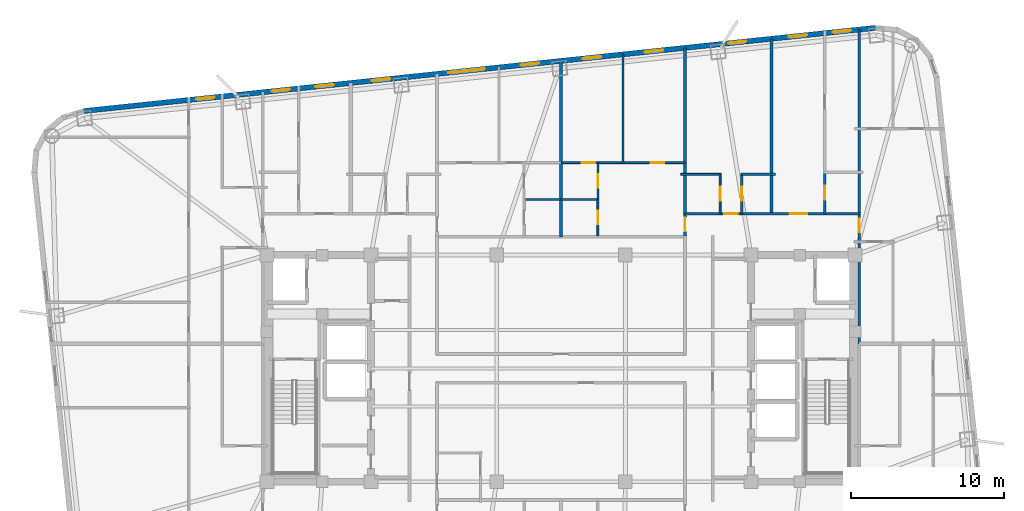
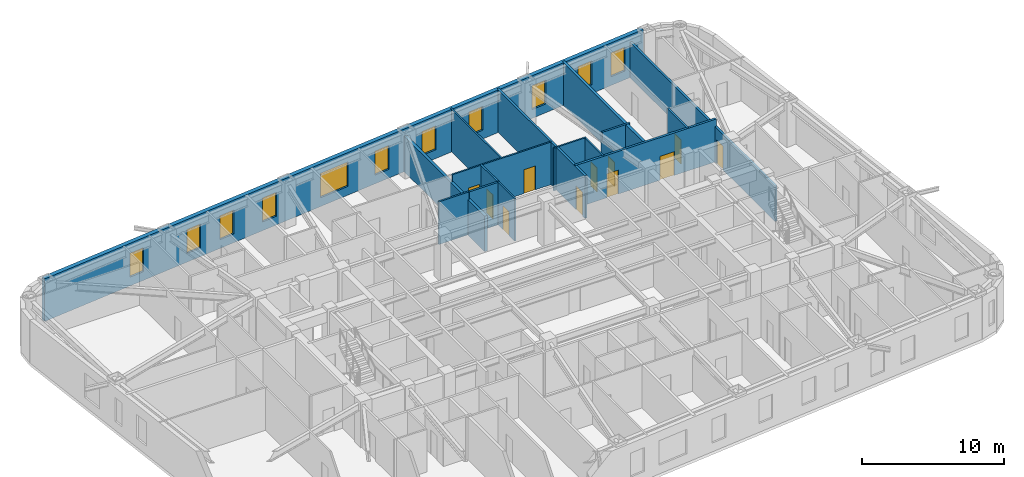
# One storey, part 9 of 12: 17 walls, 11 doors, 11 windows, 22 openings.
"""IFC4 building model written with IfcOpenShell, lengths in metres."""

import ifcopenshell
import ifcopenshell.guid

model = None  # the IFC model being written
_history = None  # IfcOwnerHistory: only IFC2X3 demands one
_inside = {}  # id of a spatial element -> (the spatial element, [elements in it])
_under = {}  # id of a project, library or spatial element -> (it, [spatial elements below it])
_declared = {}  # id of a project -> (the project, [libraries it declares])
_typed = {}  # id of a type object -> (the type object, [elements of that type])
_made_of = {}  # id of a material, layer set ... -> (it, [elements and type objects made of it])


def new_model(schema):
    """Start an empty IFC model of exactly this schema.

    Asked for "IFC4X3", IfcOpenShell would pick the latest addendum, in which some entities
    have other attributes; the version numbers below select the first issue.
    IFC2X3 requires an IfcOwnerHistory on every rooted entity: one is made here for all.
    """
    global model, _history
    if schema == "IFC4X3":
        model = ifcopenshell.file(schema_version=(4, 3, 0, 0))
    else:
        model = ifcopenshell.file(schema=schema)
    _inside.clear()
    _under.clear()
    _declared.clear()
    _typed.clear()
    _made_of.clear()
    _history = None
    if model.schema == "IFC2X3":
        org = make("IfcOrganization", Name="unknown")
        user = make(
            "IfcPersonAndOrganization",
            ThePerson=make("IfcPerson", FamilyName="unknown"),
            TheOrganization=org,
        )
        app = make(
            "IfcApplication",
            ApplicationDeveloper=org,
            Version="unknown",
            ApplicationFullName="unknown",
            ApplicationIdentifier="unknown",
        )
        _history = make(
            "IfcOwnerHistory",
            OwningUser=user,
            OwningApplication=app,
            ChangeAction="ADDED",
            CreationDate=0,
        )
    return model


def make(cls, **values):
    """One entity of the class cls with the attributes given. An attribute that is None is left unset."""
    return model.create_entity(
        cls, **{name: value for name, value in values.items() if value is not None}
    )


def rooted(cls, **values):
    """An entity with a GlobalId (a new one), such as an element, a storey or a relation."""
    return make(cls, GlobalId=ifcopenshell.guid.new(), OwnerHistory=_history, **values)


def si_unit(unit_type, name, prefix=None):
    """IfcSIUnit, for example si_unit("LENGTHUNIT", "METRE", prefix="MILLI")."""
    return make("IfcSIUnit", UnitType=unit_type, Prefix=prefix, Name=name)


def assignment(units):
    """IfcUnitAssignment: the units of a project."""
    return None if units is None else make("IfcUnitAssignment", Units=units)


def point(xyz):
    """IfcCartesianPoint."""
    return None if xyz is None else make("IfcCartesianPoint", Coordinates=xyz)


def direction(xyz):
    """IfcDirection."""
    return None if xyz is None else make("IfcDirection", DirectionRatios=xyz)


def frame(location, z_axis=None, x_axis=None):
    """IfcAxis2Placement3D, a coordinate frame: its origin and axes. An axis left out is left unset."""
    return make(
        "IfcAxis2Placement3D",
        Location=point(location),
        Axis=direction(z_axis),
        RefDirection=direction(x_axis),
    )


def frame_2d(location, x_axis=None):
    """IfcAxis2Placement2D, a coordinate frame in the plane: its origin and x axis."""
    return make(
        "IfcAxis2Placement2D", Location=point(location), RefDirection=direction(x_axis)
    )


def origin():
    """The frame at (0, 0, 0) with its axes left unset."""
    return frame((0.0, 0.0, 0.0))


def place(relative_to, where):
    """IfcLocalPlacement: puts the frame where relative to a parent placement (None: the world)."""
    return make(
        "IfcLocalPlacement", PlacementRelTo=relative_to, RelativePlacement=where
    )


def context(
    kind, dimensions, precision=None, world=None, true_north=None, identifier=None
):
    """IfcGeometricRepresentationContext, for example the 3D "Model" context."""
    return make(
        "IfcGeometricRepresentationContext",
        ContextIdentifier=identifier,
        ContextType=kind,
        CoordinateSpaceDimension=dimensions,
        Precision=precision,
        WorldCoordinateSystem=world,
        TrueNorth=true_north,
    )


def subcontext(parent, identifier, kind, view, scale=None):
    """IfcGeometricRepresentationSubContext, for example "Body" below "Model"."""
    return make(
        "IfcGeometricRepresentationSubContext",
        ContextIdentifier=identifier,
        ContextType=kind,
        ParentContext=parent,
        TargetScale=scale,
        TargetView=view,
    )


def project(units=None, contexts=None):
    """IfcProject with its units and contexts."""
    return rooted(
        "IfcProject",
        Name="project",
        RepresentationContexts=contexts,
        UnitsInContext=assignment(units),
    )


def spatial(cls, under=None, at=None, **own):
    """A site, building, storey or space (cls), placed at a placement, below another one or the project."""
    s = rooted(cls, ObjectPlacement=at, **own)
    if under is not None:
        _under.setdefault(under.id(), (under, []))[1].append(s)
    return s


def profile(cls, at=None, kind="AREA", **sizes):
    """A parametric profile (cls). Its sizes go by their IFC names, for example OverallWidth=200.0."""
    return make(cls, ProfileType=kind, Position=at, **sizes)


def rectangle(**sizes):
    """IfcRectangleProfileDef."""
    return profile("IfcRectangleProfileDef", **sizes)


def extrude(swept, where, along, depth):
    """IfcExtrudedAreaSolid: the profile swept, set in the frame where, extruded along a direction by depth."""
    return make(
        "IfcExtrudedAreaSolid",
        SweptArea=swept,
        Position=where,
        ExtrudedDirection=direction(along),
        Depth=depth,
    )


def shape(context_of_items, identifier, shape_type, items):
    """IfcShapeRepresentation: the items that make up one representation, for example the "Body"."""
    return make(
        "IfcShapeRepresentation",
        ContextOfItems=context_of_items,
        RepresentationIdentifier=identifier,
        RepresentationType=shape_type,
        Items=items,
    )


def material(Name=None, Category=None):
    """IfcMaterial."""
    return make("IfcMaterial", Name=Name, Category=Category)


def layer(
    of_material, thickness, ventilated=None, Name=None, Category=None, Priority=None
):
    """IfcMaterialLayer: one layer of a wall or slab, of a material (None: an air gap)."""
    return make(
        "IfcMaterialLayer",
        Material=of_material,
        LayerThickness=thickness,
        IsVentilated=ventilated,
        Name=Name,
        Category=Category,
        Priority=Priority,
    )


def layer_set(layers, Name=None):
    """IfcMaterialLayerSet."""
    return make("IfcMaterialLayerSet", MaterialLayers=layers, LayerSetName=Name)


def made_of(thing, what):
    """Note that an element or type object is made of a material, layer set ...; save() writes the relation."""
    if what is not None:
        _made_of.setdefault(what.id(), (what, []))[1].append(thing)
    return thing


def type_object(cls, material=None, **own):
    """A type object (cls), such as IfcWallType, which elements share."""
    return made_of(rooted(cls, **own), material)


def element(
    cls,
    number,
    at=None,
    inside=None,
    cuts=None,
    type_object=None,
    material=None,
    context=None,
    identifier="Body",
    shape_type=None,
    held_by="IfcProductDefinitionShape",
    body=None,
    shapes=None,
    **own,
):
    """One element of the class cls, such as IfcWall. Its Tag is "e" and its number.

    at: its placement. inside: the storey or other place that contains it. cuts: it is an
    opening in that element (IfcRelVoidsElement). A single representation is given by context,
    identifier, shape_type and body (its items); several are given by shapes. held_by: the class
    of the entity that holds the representations. save() writes the other relations.
    """
    e = rooted(cls, Tag="e%d" % number, ObjectPlacement=at, **own)
    if body is not None:
        shapes = [shape(context, identifier, shape_type, body)]
    if shapes is not None:
        e.Representation = make(held_by, Representations=shapes)
    if inside is not None:
        _inside.setdefault(inside.id(), (inside, []))[1].append(e)
    if cuts is not None:
        rooted(
            "IfcRelVoidsElement", RelatingBuildingElement=cuts, RelatedOpeningElement=e
        )
    if type_object is not None:
        _typed.setdefault(type_object.id(), (type_object, []))[1].append(e)
    return made_of(e, material)


def fill(opening, filler):
    """IfcRelFillsElement: the door or window that sits in an opening."""
    return rooted(
        "IfcRelFillsElement",
        RelatingOpeningElement=opening,
        RelatedBuildingElement=filler,
    )


def aggregate(whole, parts):
    """IfcRelAggregates: a whole, such as a stair, and the parts it consists of."""
    return rooted("IfcRelAggregates", RelatingObject=whole, RelatedObjects=parts)


def save(model, path):
    """Write the relations noted so far, then the file.

    IfcRelAggregates (storeys below a building ...), IfcRelContainedInSpatialStructure (elements
    in a storey), IfcRelDefinesByType, IfcRelAssociatesMaterial and IfcRelDeclares: one each for
    every whole, place, type object, material and project.
    """
    for whole, parts in _under.values():
        aggregate(whole, parts)
    for where, things in _inside.values():
        rooted(
            "IfcRelContainedInSpatialStructure",
            RelatedElements=things,
            RelatingStructure=where,
        )
    for kind, things in _typed.values():
        rooted("IfcRelDefinesByType", RelatedObjects=things, RelatingType=kind)
    for what, things in _made_of.values():
        rooted("IfcRelAssociatesMaterial", RelatedObjects=things, RelatingMaterial=what)
    for by, libraries in _declared.values():
        rooted("IfcRelDeclares", RelatingContext=by, RelatedDefinitions=libraries)
    model.write(path)


model = new_model("IFC4")

# Units and contexts
model_context = context("Model", 3, precision=1e-05, world=origin(), true_north=direction((0.0, 1.0)))
body_context = subcontext(model_context, "Body", "Model", "MODEL_VIEW")
ifc_project = project(units=[si_unit("LENGTHUNIT", "METRE"), si_unit("AREAUNIT", "SQUARE_METRE"), si_unit("VOLUMEUNIT", "CUBIC_METRE"), si_unit("PLANEANGLEUNIT", "RADIAN"), si_unit("MASSUNIT", "GRAM", prefix="KILO")], contexts=[model_context])

# Site, building, storey
site_placement = place(None, origin())
site = spatial("IfcSite", under=ifc_project, at=site_placement, CompositionType="ELEMENT")
building_placement = place(site_placement, origin())
building = spatial("IfcBuilding", under=site, at=building_placement, Name="Voryun Gate Residences", CompositionType="ELEMENT")
storey_placement = place(building_placement, frame((0.0, 0.0, 167.699951171875)))
storey = spatial("IfcBuildingStorey", under=building, at=storey_placement, Name="L41", CompositionType="ELEMENT", Elevation=167.699951171875)

# Wall, openings, doors
ifc_material_1 = material(Name="Gypsum acoustic fireboard")
ifc_layer_1 = layer(ifc_material_1, 0.179931640625, Name="W_CORR_RATED_180")
ifc_layer_set_1 = layer_set([ifc_layer_1], Name="Gypsum acoustic fireboard")
wall_type_1 = type_object("IfcWallType", Name="W_CORR_RATED_180", PredefinedType="PARTITIONING", material=ifc_layer_set_1)
wall_1_placement = place(storey_placement, frame((8.080078125, 10.10009765625, 0.0), z_axis=(0.0, 0.0, 1.0), x_axis=(1.0, 0.0, 0.0)))
wall_1 = element("IfcWall", 1, at=wall_1_placement, inside=storey, type_object=wall_type_1, Name="Partition wall WP-L41-NCORR-E", PredefinedType="PARTITIONING", context=body_context, shape_type="SweptSolid", body=[
    extrude(rectangle(XDim=11.419921875, YDim=0.179931640625, at=frame_2d((5.7099609375, 0.0))), origin(), (0.0, 0.0, 1.0), 3.650146484375),
])
opening_1_placement = place(wall_1_placement, frame((2.5625, 0.0, 0.0)))
opening_1 = element("IfcOpeningElement", 2, at=opening_1_placement, cuts=wall_1, Name="Opening D-INT-2", PredefinedType="OPENING", context=body_context, shape_type="SweptSolid", body=[
    extrude(rectangle(XDim=0.89990234375, YDim=2.050048828125, at=frame_2d((0.449951171875, 1.02490234375))), frame((0.0, 0.099853515625, 0.0), z_axis=(0.0, -1.0, 0.0), x_axis=(1.0, 0.0, 0.0)), (0.0, 0.0, 1.0), 0.199951171875),
])
opening_2_placement = place(wall_1_placement, frame((6.8525390625, 0.0, 0.0)))
opening_2 = element("IfcOpeningElement", 3, at=opening_2_placement, cuts=wall_1, Name="Opening D-UNIT-1", PredefinedType="OPENING", context=body_context, shape_type="SweptSolid", body=[
    extrude(rectangle(XDim=1.14990234375, YDim=2.050048828125, at=frame_2d((0.574951171875, 1.02490234375))), frame((0.0, 0.099853515625, 0.0), z_axis=(0.0, -1.0, 0.0), x_axis=(1.0, 0.0, 0.0)), (0.0, 0.0, 1.0), 0.199951171875),
])
ifc_material_2 = material(Name="Architectural oak veneer")
door_type_1 = type_object("IfcDoorType", Name="DR_INT_BATH_900", OperationType="NOTDEFINED", PredefinedType="DOOR", material=ifc_material_2)
door_1_placement = place(opening_1_placement, origin())
door_1 = element("IfcDoor", 4, at=door_1_placement, inside=storey, type_object=door_type_1, Name="Door DR-L41-NENT-4", OperationType="SINGLE_SWING_RIGHT", OverallHeight=2.050048828125, OverallWidth=0.89990234375, PredefinedType="DOOR", context=body_context, shape_type="SweptSolid", body=[
    extrude(rectangle(XDim=0.89990234375, YDim=2.050048828125, at=frame_2d((0.449951171875, 1.02490234375))), frame((0.0, 0.02490234375, 0.0), z_axis=(0.0, -1.0, 0.0), x_axis=(1.0, 0.0, 0.0)), (0.0, 0.0, 1.0), 0.050048828125),
])
fill(opening_1, door_1)
ifc_material_3 = material(Name="Armoured timber-clad fire door", Category="wood")
door_type_2 = type_object("IfcDoorType", Name="DR_UNIT_ENTRY_1150", OperationType="NOTDEFINED", PredefinedType="DOOR", material=ifc_material_3)
door_2_placement = place(opening_2_placement, origin())
door_2 = element("IfcDoor", 5, at=door_2_placement, inside=storey, type_object=door_type_2, Name="Door DR-L41-NENT-5", OperationType="SINGLE_SWING_LEFT", OverallHeight=2.050048828125, OverallWidth=1.14990234375, PredefinedType="DOOR", context=body_context, shape_type="SweptSolid", body=[
    extrude(rectangle(XDim=1.14990234375, YDim=2.050048828125, at=frame_2d((0.574951171875, 1.02490234375))), frame((0.0, 0.02490234375, 0.0), z_axis=(0.0, -1.0, 0.0), x_axis=(1.0, 0.0, 0.0)), (0.0, 0.0, 1.0), 0.050048828125),
])
fill(opening_2, door_2)

# Wall, opening, door
wall_2_placement = place(storey_placement, frame((8.10009765625, 8.590087890625, 0.0), z_axis=(0.0, 0.0, 1.0), x_axis=(0.0, 1.0, 0.0)))
wall_2 = element("IfcWall", 6, at=wall_2_placement, inside=storey, type_object=wall_type_1, Name="Partition wall WP-L41-NZV-2", PredefinedType="PARTITIONING", context=body_context, shape_type="SweptSolid", body=[
    extrude(rectangle(XDim=12.339111328125, YDim=0.179931640625, at=frame_2d((6.16943359375, 0.0))), origin(), (0.0, 0.0, 1.0), 3.650146484375),
])
opening_3_placement = place(wall_2_placement, frame((0.349609375, 0.0, 0.0)))
opening_3 = element("IfcOpeningElement", 7, at=opening_3_placement, cuts=wall_2, Name="Opening D-INT-2", PredefinedType="OPENING", context=body_context, shape_type="SweptSolid", body=[
    extrude(rectangle(XDim=0.89990234375, YDim=2.050048828125, at=frame_2d((0.449951171875, 1.02490234375))), frame((0.0, 0.099853515625, 0.0), z_axis=(0.0, -1.0, 0.0), x_axis=(1.0, 0.0, 0.0)), (0.0, 0.0, 1.0), 0.199951171875),
])
door_3_placement = place(opening_3_placement, origin())
door_3 = element("IfcDoor", 8, at=door_3_placement, inside=storey, type_object=door_type_1, Name="Door DR-L41-NZENT-2", OperationType="SINGLE_SWING_RIGHT", OverallHeight=2.050048828125, OverallWidth=0.89990234375, PredefinedType="DOOR", context=body_context, shape_type="SweptSolid", body=[
    extrude(rectangle(XDim=0.89990234375, YDim=2.050048828125, at=frame_2d((0.449951171875, 1.02490234375))), frame((0.0, 0.02490234375, 0.0), z_axis=(0.0, -1.0, 0.0), x_axis=(1.0, 0.0, 0.0)), (0.0, 0.0, 1.0), 0.050048828125),
])
fill(opening_3, door_3)

wall_3_placement = place(storey_placement, frame((19.469970703125, 1.60009765625, 0.0), z_axis=(0.0, 0.0, 1.0), x_axis=(0.0, 1.0, 0.0)))
wall_3 = element("IfcWall", 9, at=wall_3_placement, inside=storey, type_object=wall_type_1, Name="Partition wall WP-L41-ECOR2", PredefinedType="PARTITIONING", context=body_context, shape_type="SweptSolid", body=[
    extrude(rectangle(XDim=20.52392578125, YDim=0.179931640625, at=frame_2d((10.261962890625, 0.0))), origin(), (0.0, 0.0, 1.0), 3.0400390625),
])
opening_4_placement = place(wall_3_placement, frame((7.279296875, 0.0, 0.0)))
opening_4 = element("IfcOpeningElement", 10, at=opening_4_placement, cuts=wall_3, Name="Opening D-INT-2", PredefinedType="OPENING", context=body_context, shape_type="SweptSolid", body=[
    extrude(rectangle(XDim=0.89990234375, YDim=2.050048828125, at=frame_2d((0.449951171875, 1.02490234375))), frame((0.0, 0.099853515625, 0.0), z_axis=(0.0, -1.0, 0.0), x_axis=(1.0, 0.0, 0.0)), (0.0, 0.0, 1.0), 0.199951171875),
])
door_4_placement = place(opening_4_placement, origin())
door_4 = element("IfcDoor", 11, at=door_4_placement, inside=storey, type_object=door_type_1, Name="Door DR-L41-EE2", OperationType="SINGLE_SWING_RIGHT", OverallHeight=2.050048828125, OverallWidth=0.89990234375, PredefinedType="DOOR", context=body_context, shape_type="SweptSolid", body=[
    extrude(rectangle(XDim=0.89990234375, YDim=2.050048828125, at=frame_2d((0.449951171875, 1.02490234375))), frame((0.0, 0.02490234375, 0.0), z_axis=(0.0, -1.0, 0.0), x_axis=(1.0, 0.0, 0.0)), (0.0, 0.0, 1.0), 0.050048828125),
])
fill(opening_4, door_4)

# Wall, openings, windows
ifc_material_4 = material(Name="Charcoal terracotta masonry", Category="masonry")
ifc_layer_2 = layer(ifc_material_4, 0.340087890625, Name="W_EXT_TERRACOTTA_340")
ifc_layer_set_2 = layer_set([ifc_layer_2], Name="Charcoal terracotta masonry")
wall_type_2 = type_object("IfcWallType", Name="W_EXT_TERRACOTTA_340", PredefinedType="ELEMENTEDWALL", material=ifc_layer_set_2)
wall_4_placement = place(storey_placement, frame((-31.155517578125, 16.80322265625, 0.0), z_axis=(0.0, 0.0, 1.0), x_axis=(0.99452209583, 0.104526555986, 0.0)))
wall_4 = element("IfcWall", 12, at=wall_4_placement, inside=storey, type_object=wall_type_2, Name="Exterior wall WEXT-L41-11", PredefinedType="ELEMENTEDWALL", context=body_context, shape_type="SweptSolid", body=[
    extrude(rectangle(XDim=51.966552734375, YDim=0.340087890625, at=frame_2d((25.9833984375, 0.0))), origin(), (0.0, 0.0, 1.0), 3.650146484375),
])
opening_5_placement = place(wall_4_placement, frame((23.93310546875, 0.0, 0.75)))
opening_5 = element("IfcOpeningElement", 13, at=opening_5_placement, cuts=wall_4, Name="Opening WN2", PredefinedType="OPENING", context=body_context, shape_type="SweptSolid", body=[
    extrude(rectangle(XDim=2.39990234375, YDim=2.10009765625, at=frame_2d((1.199951171875, 1.050048828125))), frame((0.0, 0.179931640625, 0.0), z_axis=(0.0, -1.0, 0.0), x_axis=(1.0, 0.0, 0.0)), (0.0, 0.0, 1.0), 0.360107421875),
])
opening_6_placement = place(wall_4_placement, frame((15.209228515625, 0.0, 0.75)))
opening_6 = element("IfcOpeningElement", 14, at=opening_6_placement, cuts=wall_4, Name="Opening WN6", PredefinedType="OPENING", context=body_context, shape_type="SweptSolid", body=[
    extrude(rectangle(XDim=1.199951171875, YDim=2.050048828125, at=frame_2d((0.60009765625, 1.02490234375))), frame((0.0, 0.179931640625, 0.0), z_axis=(0.0, -1.0, 0.0), x_axis=(1.0, 0.0, 0.0)), (0.0, 0.0, 1.0), 0.360107421875),
])
opening_7_placement = place(wall_4_placement, frame((12.33349609375, 0.0, 0.75)))
opening_7 = element("IfcOpeningElement", 15, at=opening_7_placement, cuts=wall_4, Name="Opening WN6", PredefinedType="OPENING", context=body_context, shape_type="SweptSolid", body=[
    extrude(rectangle(XDim=1.199951171875, YDim=2.050048828125, at=frame_2d((0.60009765625, 1.02490234375))), frame((0.0, 0.179931640625, 0.0), z_axis=(0.0, -1.0, 0.0), x_axis=(1.0, 0.0, 0.0)), (0.0, 0.0, 1.0), 0.360107421875),
])
opening_8_placement = place(wall_4_placement, frame((18.914794921875, 0.0, 0.75)))
opening_8 = element("IfcOpeningElement", 16, at=opening_8_placement, cuts=wall_4, Name="Opening WN6", PredefinedType="OPENING", context=body_context, shape_type="SweptSolid", body=[
    extrude(rectangle(XDim=1.199951171875, YDim=2.050048828125, at=frame_2d((0.60009765625, 1.02490234375))), frame((0.0, 0.179931640625, 0.0), z_axis=(0.0, -1.0, 0.0), x_axis=(1.0, 0.0, 0.0)), (0.0, 0.0, 1.0), 0.360107421875),
])
opening_9_placement = place(wall_4_placement, frame((42.294921875, 0.0, 0.75)))
opening_9 = element("IfcOpeningElement", 17, at=opening_9_placement, cuts=wall_4, Name="Opening WN6", PredefinedType="OPENING", context=body_context, shape_type="SweptSolid", body=[
    extrude(rectangle(XDim=1.199951171875, YDim=2.050048828125, at=frame_2d((0.60009765625, 1.02490234375))), frame((0.0, 0.179931640625, 0.0), z_axis=(0.0, -1.0, 0.0), x_axis=(1.0, 0.0, 0.0)), (0.0, 0.0, 1.0), 0.360107421875),
])
opening_10_placement = place(wall_4_placement, frame((46.2880859375, 0.0, 0.75)))
opening_10 = element("IfcOpeningElement", 18, at=opening_10_placement, cuts=wall_4, Name="Opening WN6", PredefinedType="OPENING", context=body_context, shape_type="SweptSolid", body=[
    extrude(rectangle(XDim=1.199951171875, YDim=2.050048828125, at=frame_2d((0.60009765625, 1.02490234375))), frame((0.0, 0.179931640625, 0.0), z_axis=(0.0, -1.0, 0.0), x_axis=(1.0, 0.0, 0.0)), (0.0, 0.0, 1.0), 0.360107421875),
])
opening_11_placement = place(wall_4_placement, frame((49.163818359375, 0.0, 0.75)))
opening_11 = element("IfcOpeningElement", 19, at=opening_11_placement, cuts=wall_4, Name="Opening WN6", PredefinedType="OPENING", context=body_context, shape_type="SweptSolid", body=[
    extrude(rectangle(XDim=1.199951171875, YDim=2.050048828125, at=frame_2d((0.60009765625, 1.02490234375))), frame((0.0, 0.179931640625, 0.0), z_axis=(0.0, -1.0, 0.0), x_axis=(1.0, 0.0, 0.0)), (0.0, 0.0, 1.0), 0.360107421875),
])
opening_12_placement = place(wall_4_placement, frame((28.68359375, 0.0, 0.75)))
opening_12 = element("IfcOpeningElement", 20, at=opening_12_placement, cuts=wall_4, Name="Opening WN6", PredefinedType="OPENING", context=body_context, shape_type="SweptSolid", body=[
    extrude(rectangle(XDim=1.199951171875, YDim=2.050048828125, at=frame_2d((0.60009765625, 1.02490234375))), frame((0.0, 0.179931640625, 0.0), z_axis=(0.0, -1.0, 0.0), x_axis=(1.0, 0.0, 0.0)), (0.0, 0.0, 1.0), 0.360107421875),
])
opening_13_placement = place(wall_4_placement, frame((32.76611328125, 0.0, 0.75)))
opening_13 = element("IfcOpeningElement", 21, at=opening_13_placement, cuts=wall_4, Name="Opening WN6", PredefinedType="OPENING", context=body_context, shape_type="SweptSolid", body=[
    extrude(rectangle(XDim=1.199951171875, YDim=2.050048828125, at=frame_2d((0.60009765625, 1.02490234375))), frame((0.0, 0.179931640625, 0.0), z_axis=(0.0, -1.0, 0.0), x_axis=(1.0, 0.0, 0.0)), (0.0, 0.0, 1.0), 0.360107421875),
])
opening_14_placement = place(wall_4_placement, frame((36.828369140625, 0.0, 0.75)))
opening_14 = element("IfcOpeningElement", 22, at=opening_14_placement, cuts=wall_4, Name="Opening WN6", PredefinedType="OPENING", context=body_context, shape_type="SweptSolid", body=[
    extrude(rectangle(XDim=1.199951171875, YDim=2.050048828125, at=frame_2d((0.60009765625, 1.02490234375))), frame((0.0, 0.179931640625, 0.0), z_axis=(0.0, -1.0, 0.0), x_axis=(1.0, 0.0, 0.0)), (0.0, 0.0, 1.0), 0.360107421875),
])
opening_15_placement = place(wall_4_placement, frame((7.386962890625, 0.0, 0.75)))
opening_15 = element("IfcOpeningElement", 23, at=opening_15_placement, cuts=wall_4, Name="Opening WN6", PredefinedType="OPENING", context=body_context, shape_type="SweptSolid", body=[
    extrude(rectangle(XDim=1.199951171875, YDim=2.050048828125, at=frame_2d((0.60009765625, 1.02490234375))), frame((0.0, 0.179931640625, 0.0), z_axis=(0.0, -1.0, 0.0), x_axis=(1.0, 0.0, 0.0)), (0.0, 0.0, 1.0), 0.360107421875),
])
ifc_material_5 = material(Name="Laminated low-E glass", Category="glass")
window_type_1 = type_object("IfcWindowType", Name="WN_POD_SLOT_1200", PartitioningType="SINGLE_PANEL", PredefinedType="WINDOW", material=ifc_material_5)
window_1_placement = place(opening_6_placement, origin())
window_1 = element("IfcWindow", 24, at=window_1_placement, inside=storey, type_object=window_type_1, Name="Window WN-L41-DWFIX-01", OverallHeight=2.050048828125, OverallWidth=1.199951171875, PartitioningType="SINGLE_PANEL", PredefinedType="WINDOW", context=body_context, shape_type="SweptSolid", body=[
    extrude(rectangle(XDim=1.199951171875, YDim=2.050048828125, at=frame_2d((0.60009765625, 1.02490234375))), frame((0.0, 0.030029296875, 0.0), z_axis=(0.0, -1.0, 0.0), x_axis=(1.0, 0.0, 0.0)), (0.0, 0.0, 1.0), 0.06005859375),
])
fill(opening_6, window_1)
window_2_placement = place(opening_7_placement, origin())
window_2 = element("IfcWindow", 25, at=window_2_placement, inside=storey, type_object=window_type_1, Name="Window WN-L41-DWFIX-02", OverallHeight=2.050048828125, OverallWidth=1.199951171875, PartitioningType="SINGLE_PANEL", PredefinedType="WINDOW", context=body_context, shape_type="SweptSolid", body=[
    extrude(rectangle(XDim=1.199951171875, YDim=2.050048828125, at=frame_2d((0.60009765625, 1.02490234375))), frame((0.0, 0.030029296875, 0.0), z_axis=(0.0, -1.0, 0.0), x_axis=(1.0, 0.0, 0.0)), (0.0, 0.0, 1.0), 0.06005859375),
])
fill(opening_7, window_2)
window_3_placement = place(opening_8_placement, origin())
window_3 = element("IfcWindow", 26, at=window_3_placement, inside=storey, type_object=window_type_1, Name="Window WN-L41-DWFIX-03", OverallHeight=2.050048828125, OverallWidth=1.199951171875, PartitioningType="SINGLE_PANEL", PredefinedType="WINDOW", context=body_context, shape_type="SweptSolid", body=[
    extrude(rectangle(XDim=1.199951171875, YDim=2.050048828125, at=frame_2d((0.60009765625, 1.02490234375))), frame((0.0, 0.030029296875, 0.0), z_axis=(0.0, -1.0, 0.0), x_axis=(1.0, 0.0, 0.0)), (0.0, 0.0, 1.0), 0.06005859375),
])
fill(opening_8, window_3)
window_4_placement = place(opening_9_placement, origin())
window_4 = element("IfcWindow", 27, at=window_4_placement, inside=storey, type_object=window_type_1, Name="Window WN-L41-DWFIX-04", OverallHeight=2.050048828125, OverallWidth=1.199951171875, PartitioningType="SINGLE_PANEL", PredefinedType="WINDOW", context=body_context, shape_type="SweptSolid", body=[
    extrude(rectangle(XDim=1.199951171875, YDim=2.050048828125, at=frame_2d((0.60009765625, 1.02490234375))), frame((0.0, 0.030029296875, 0.0), z_axis=(0.0, -1.0, 0.0), x_axis=(1.0, 0.0, 0.0)), (0.0, 0.0, 1.0), 0.06005859375),
])
fill(opening_9, window_4)
window_5_placement = place(opening_10_placement, origin())
window_5 = element("IfcWindow", 28, at=window_5_placement, inside=storey, type_object=window_type_1, Name="Window WN-L41-DWFIX-05", OverallHeight=2.050048828125, OverallWidth=1.199951171875, PartitioningType="SINGLE_PANEL", PredefinedType="WINDOW", context=body_context, shape_type="SweptSolid", body=[
    extrude(rectangle(XDim=1.199951171875, YDim=2.050048828125, at=frame_2d((0.60009765625, 1.02490234375))), frame((0.0, 0.030029296875, 0.0), z_axis=(0.0, -1.0, 0.0), x_axis=(1.0, 0.0, 0.0)), (0.0, 0.0, 1.0), 0.06005859375),
])
fill(opening_10, window_5)
window_6_placement = place(opening_11_placement, origin())
window_6 = element("IfcWindow", 29, at=window_6_placement, inside=storey, type_object=window_type_1, Name="Window WN-L41-DWFIX-06", OverallHeight=2.050048828125, OverallWidth=1.199951171875, PartitioningType="SINGLE_PANEL", PredefinedType="WINDOW", context=body_context, shape_type="SweptSolid", body=[
    extrude(rectangle(XDim=1.199951171875, YDim=2.050048828125, at=frame_2d((0.60009765625, 1.02490234375))), frame((0.0, 0.030029296875, 0.0), z_axis=(0.0, -1.0, 0.0), x_axis=(1.0, 0.0, 0.0)), (0.0, 0.0, 1.0), 0.06005859375),
])
fill(opening_11, window_6)
window_7_placement = place(opening_12_placement, origin())
window_7 = element("IfcWindow", 30, at=window_7_placement, inside=storey, type_object=window_type_1, Name="Window WN-L41-DWFIX-07", OverallHeight=2.050048828125, OverallWidth=1.199951171875, PartitioningType="SINGLE_PANEL", PredefinedType="WINDOW", context=body_context, shape_type="SweptSolid", body=[
    extrude(rectangle(XDim=1.199951171875, YDim=2.050048828125, at=frame_2d((0.60009765625, 1.02490234375))), frame((0.0, 0.030029296875, 0.0), z_axis=(0.0, -1.0, 0.0), x_axis=(1.0, 0.0, 0.0)), (0.0, 0.0, 1.0), 0.06005859375),
])
fill(opening_12, window_7)
window_8_placement = place(opening_13_placement, origin())
window_8 = element("IfcWindow", 31, at=window_8_placement, inside=storey, type_object=window_type_1, Name="Window WN-L41-DWFIX-08", OverallHeight=2.050048828125, OverallWidth=1.199951171875, PartitioningType="SINGLE_PANEL", PredefinedType="WINDOW", context=body_context, shape_type="SweptSolid", body=[
    extrude(rectangle(XDim=1.199951171875, YDim=2.050048828125, at=frame_2d((0.60009765625, 1.02490234375))), frame((0.0, 0.030029296875, 0.0), z_axis=(0.0, -1.0, 0.0), x_axis=(1.0, 0.0, 0.0)), (0.0, 0.0, 1.0), 0.06005859375),
])
fill(opening_13, window_8)
window_9_placement = place(opening_14_placement, origin())
window_9 = element("IfcWindow", 32, at=window_9_placement, inside=storey, type_object=window_type_1, Name="Window WN-L41-DWFIX-09", OverallHeight=2.050048828125, OverallWidth=1.199951171875, PartitioningType="SINGLE_PANEL", PredefinedType="WINDOW", context=body_context, shape_type="SweptSolid", body=[
    extrude(rectangle(XDim=1.199951171875, YDim=2.050048828125, at=frame_2d((0.60009765625, 1.02490234375))), frame((0.0, 0.030029296875, 0.0), z_axis=(0.0, -1.0, 0.0), x_axis=(1.0, 0.0, 0.0)), (0.0, 0.0, 1.0), 0.06005859375),
])
fill(opening_14, window_9)
window_10_placement = place(opening_15_placement, origin())
window_10 = element("IfcWindow", 33, at=window_10_placement, inside=storey, type_object=window_type_1, Name="Window WN-L41-DWFIX-23", OverallHeight=2.050048828125, OverallWidth=1.199951171875, PartitioningType="SINGLE_PANEL", PredefinedType="WINDOW", context=body_context, shape_type="SweptSolid", body=[
    extrude(rectangle(XDim=1.199951171875, YDim=2.050048828125, at=frame_2d((0.60009765625, 1.02490234375))), frame((0.0, 0.030029296875, 0.0), z_axis=(0.0, -1.0, 0.0), x_axis=(1.0, 0.0, 0.0)), (0.0, 0.0, 1.0), 0.06005859375),
])
fill(opening_15, window_10)
ifc_material_6 = material(Name="Laminated low-E glass", Category="glass")
window_type_2 = type_object("IfcWindowType", Name="WN_RES_WIDE_2400", PartitioningType="SINGLE_PANEL", PredefinedType="WINDOW", material=ifc_material_6)
window_11_placement = place(opening_5_placement, origin())
window_11 = element("IfcWindow", 34, at=window_11_placement, inside=storey, type_object=window_type_2, Name="Window WN-WEXT-L41-11-02", OverallHeight=2.10009765625, OverallWidth=2.39990234375, PartitioningType="SINGLE_PANEL", PredefinedType="WINDOW", context=body_context, shape_type="SweptSolid", body=[
    extrude(rectangle(XDim=2.39990234375, YDim=2.10009765625, at=frame_2d((1.199951171875, 1.050048828125))), frame((0.0, 0.030029296875, 0.0), z_axis=(0.0, -1.0, 0.0), x_axis=(1.0, 0.0, 0.0)), (0.0, 0.0, 1.0), 0.06005859375),
])
fill(opening_5, window_11)

# Walls
ifc_material_7 = material(Name="Concrete C40/50", Category="concrete")
ifc_layer_3 = layer(ifc_material_7, 0.219970703125, Name="W_PARTY_ACOUSTIC_220")
ifc_layer_set_3 = layer_set([ifc_layer_3], Name="Concrete C40/50")
wall_type_3 = type_object("IfcWallType", Name="W_PARTY_ACOUSTIC_220", PredefinedType="PARTITIONING", material=ifc_layer_set_3)
wall_5_placement = place(storey_placement, frame((13.739990234375, 10.02001953125, 0.0), z_axis=(0.0, 0.0, 1.0), x_axis=(0.0, 1.0, 0.0)))
element("IfcWall", 35, at=wall_5_placement, inside=storey, type_object=wall_type_3, Name="Partition wall WP-L41-NPTY-4", PredefinedType="PARTITIONING", context=body_context, shape_type="SweptSolid", body=[
    extrude(rectangle(XDim=11.501953125, YDim=0.219970703125, at=frame_2d((5.7509765625, 0.0))), origin(), (0.0, 0.0, 1.0), 3.650146484375),
])
wall_6_placement = place(storey_placement, frame((0.0, 8.590087890625, 0.0), z_axis=(0.0, 0.0, 1.0), x_axis=(0.0, 1.0, 0.0)))
element("IfcWall", 36, at=wall_6_placement, inside=storey, type_object=wall_type_3, Name="Partition wall WP-L41-NZMID", PredefinedType="PARTITIONING", context=body_context, shape_type="SweptSolid", body=[
    extrude(rectangle(XDim=11.48779296875, YDim=0.219970703125, at=frame_2d((5.743896484375, 0.0))), origin(), (0.0, 0.0, 1.0), 3.0400390625),
])

# Wall, opening, door
ifc_material_8 = material(Name="Gypsum acoustic partition")
ifc_layer_4 = layer(ifc_material_8, 0.125, Name="W_UNIT_PART_125")
ifc_layer_set_4 = layer_set([ifc_layer_4], Name="Gypsum acoustic partition")
wall_type_4 = type_object("IfcWallType", Name="W_UNIT_PART_125", PredefinedType="PARTITIONING", material=ifc_layer_set_4)
wall_7_placement = place(storey_placement, frame((10.389892578125, 10.080078125, 0.0), z_axis=(0.0, 0.0, 1.0), x_axis=(0.0, 1.0, 0.0)))
wall_7 = element("IfcWall", 37, at=wall_7_placement, inside=storey, type_object=wall_type_4, Name="Partition wall WP-L41-N4-CVK", PredefinedType="PARTITIONING", context=body_context, shape_type="SweptSolid", body=[
    extrude(rectangle(XDim=2.64990234375, YDim=0.125, at=frame_2d((1.324951171875, 0.0))), origin(), (0.0, 0.0, 1.0), 3.650146484375),
])
opening_16_placement = place(wall_7_placement, frame((0.875, 0.0, 0.0)))
opening_16 = element("IfcOpeningElement", 38, at=opening_16_placement, cuts=wall_7, Name="Opening D-INT-2", PredefinedType="OPENING", context=body_context, shape_type="SweptSolid", body=[
    extrude(rectangle(XDim=0.89990234375, YDim=2.050048828125, at=frame_2d((0.449951171875, 1.02490234375))), frame((0.0, 0.072509765625, 0.0), z_axis=(0.0, -1.0, 0.0), x_axis=(1.0, 0.0, 0.0)), (0.0, 0.0, 1.0), 0.14501953125),
])
door_5_placement = place(opening_16_placement, origin())
door_5 = element("IfcDoor", 39, at=door_5_placement, inside=storey, type_object=door_type_1, Name="Door DR-L41-N4-DK", OperationType="SINGLE_SWING_LEFT", OverallHeight=2.050048828125, OverallWidth=0.89990234375, PredefinedType="DOOR", context=body_context, shape_type="SweptSolid", body=[
    extrude(rectangle(XDim=0.89990234375, YDim=2.050048828125, at=frame_2d((0.449951171875, 1.02490234375))), frame((0.0, 0.02490234375, 0.0), z_axis=(0.0, -1.0, 0.0), x_axis=(1.0, 0.0, 0.0)), (0.0, 0.0, 1.0), 0.050048828125),
])
fill(opening_16, door_5)

# Wall
wall_8_placement = place(storey_placement, frame((7.820068359375, 12.669921875, 0.0), z_axis=(0.0, 0.0, 1.0), x_axis=(1.0, 0.0, 0.0)))
element("IfcWall", 40, at=wall_8_placement, inside=storey, type_object=wall_type_4, Name="Partition wall WP-L41-N4-CHK", PredefinedType="PARTITIONING", context=body_context, shape_type="SweptSolid", body=[
    extrude(rectangle(XDim=2.6298828125, YDim=0.125, at=frame_2d((1.31494140625, 0.0))), origin(), (0.0, 0.0, 1.0), 3.650146484375),
])

# Wall, openings, doors
wall_9_placement = place(storey_placement, frame((0.02001953125, 13.429931640625, 0.0), z_axis=(0.0, 0.0, 1.0), x_axis=(1.0, 0.0, 0.0)))
wall_9 = element("IfcWall", 41, at=wall_9_placement, inside=storey, type_object=wall_type_4, Name="Partition wall WP-L41-NC2-HZ", PredefinedType="PARTITIONING", context=body_context, shape_type="SweptSolid", body=[
    extrude(rectangle(XDim=8.06005859375, YDim=0.125, at=frame_2d((4.030029296875, 0.0))), origin(), (0.0, 0.0, 1.0), 3.650146484375),
])
opening_17_placement = place(wall_9_placement, frame((1.3232421875, 0.0, 0.0)))
opening_17 = element("IfcOpeningElement", 42, at=opening_17_placement, cuts=wall_9, Name="Opening D-INT-2", PredefinedType="OPENING", context=body_context, shape_type="SweptSolid", body=[
    extrude(rectangle(XDim=0.89990234375, YDim=2.050048828125, at=frame_2d((0.449951171875, 1.02490234375))), frame((0.0, 0.072509765625, 0.0), z_axis=(0.0, -1.0, 0.0), x_axis=(1.0, 0.0, 0.0)), (0.0, 0.0, 1.0), 0.14501953125),
])
opening_18_placement = place(wall_9_placement, frame((5.8369140625, 0.0, 0.0)))
opening_18 = element("IfcOpeningElement", 43, at=opening_18_placement, cuts=wall_9, Name="Opening D-INT-2", PredefinedType="OPENING", context=body_context, shape_type="SweptSolid", body=[
    extrude(rectangle(XDim=0.89990234375, YDim=2.050048828125, at=frame_2d((0.449951171875, 1.02490234375))), frame((0.0, 0.072509765625, 0.0), z_axis=(0.0, -1.0, 0.0), x_axis=(1.0, 0.0, 0.0)), (0.0, 0.0, 1.0), 0.14501953125),
])
door_6_placement = place(opening_17_placement, origin())
door_6 = element("IfcDoor", 44, at=door_6_placement, inside=storey, type_object=door_type_1, Name="Door DR-L41-NC2-DMB", OperationType="SINGLE_SWING_LEFT", OverallHeight=2.050048828125, OverallWidth=0.89990234375, PredefinedType="DOOR", context=body_context, shape_type="SweptSolid", body=[
    extrude(rectangle(XDim=0.89990234375, YDim=2.050048828125, at=frame_2d((0.449951171875, 1.02490234375))), frame((0.0, 0.02490234375, 0.0), z_axis=(0.0, -1.0, 0.0), x_axis=(1.0, 0.0, 0.0)), (0.0, 0.0, 1.0), 0.050048828125),
])
fill(opening_17, door_6)
door_7_placement = place(opening_18_placement, origin())
door_7 = element("IfcDoor", 45, at=door_7_placement, inside=storey, type_object=door_type_1, Name="Door DR-L41-NC2-DBD2", OperationType="SINGLE_SWING_RIGHT", OverallHeight=2.050048828125, OverallWidth=0.89990234375, PredefinedType="DOOR", context=body_context, shape_type="SweptSolid", body=[
    extrude(rectangle(XDim=0.89990234375, YDim=2.050048828125, at=frame_2d((0.449951171875, 1.02490234375))), frame((0.0, 0.02490234375, 0.0), z_axis=(0.0, -1.0, 0.0), x_axis=(1.0, 0.0, 0.0)), (0.0, 0.0, 1.0), 0.050048828125),
])
fill(opening_18, door_7)

# Wall, opening, door
wall_10_placement = place(storey_placement, frame((2.409912109375, 8.64990234375, 0.0), z_axis=(0.0, 0.0, 1.0), x_axis=(0.0, 1.0, 0.0)))
wall_10 = element("IfcWall", 46, at=wall_10_placement, inside=storey, type_object=wall_type_4, Name="Partition wall WP-L41-NC2-VK1", PredefinedType="PARTITIONING", context=body_context, shape_type="SweptSolid", body=[
    extrude(rectangle(XDim=2.41015625, YDim=0.125, at=frame_2d((1.205078125, 0.0))), origin(), (0.0, 0.0, 1.0), 3.650146484375),
])
opening_19_placement = place(wall_10_placement, frame((0.7548828125, 0.0, 0.0)))
opening_19 = element("IfcOpeningElement", 47, at=opening_19_placement, cuts=wall_10, Name="Opening D-INT-2", PredefinedType="OPENING", context=body_context, shape_type="SweptSolid", body=[
    extrude(rectangle(XDim=0.89990234375, YDim=2.050048828125, at=frame_2d((0.449951171875, 1.02490234375))), frame((0.0, 0.072509765625, 0.0), z_axis=(0.0, -1.0, 0.0), x_axis=(1.0, 0.0, 0.0)), (0.0, 0.0, 1.0), 0.14501953125),
])
door_8_placement = place(opening_19_placement, origin())
door_8 = element("IfcDoor", 48, at=door_8_placement, inside=storey, type_object=door_type_1, Name="Door DR-L41-NC2-DK", OperationType="SINGLE_SWING_LEFT", OverallHeight=2.050048828125, OverallWidth=0.89990234375, PredefinedType="DOOR", context=body_context, shape_type="SweptSolid", body=[
    extrude(rectangle(XDim=0.89990234375, YDim=2.050048828125, at=frame_2d((0.449951171875, 1.02490234375))), frame((0.0, 0.02490234375, 0.0), z_axis=(0.0, -1.0, 0.0), x_axis=(1.0, 0.0, 0.0)), (0.0, 0.0, 1.0), 0.050048828125),
])
fill(opening_19, door_8)

# Wall
wall_11_placement = place(storey_placement, frame((4.050048828125, 13.389892578125, 0.0), z_axis=(0.0, 0.0, 1.0), x_axis=(0.0, 1.0, 0.0)))
element("IfcWall", 49, at=wall_11_placement, inside=storey, type_object=wall_type_4, Name="Partition wall WP-L41-NC2-VBD", PredefinedType="PARTITIONING", context=body_context, shape_type="SweptSolid", body=[
    extrude(rectangle(XDim=7.113525390625, YDim=0.125, at=frame_2d((3.556640625, 0.0))), origin(), (0.0, 0.0, 1.0), 3.650146484375),
])

# Wall, opening, door
ifc_material_9 = material(Name="Gypsum moisture-resistant partition")
ifc_layer_5 = layer(ifc_material_9, 0.14990234375, Name="W_WET_PLUMB_150")
ifc_layer_set_5 = layer_set([ifc_layer_5], Name="Gypsum moisture-resistant partition")
wall_type_5 = type_object("IfcWallType", Name="W_WET_PLUMB_150", PredefinedType="PLUMBINGWALL", material=ifc_layer_set_5)
wall_12_placement = place(storey_placement, frame((11.7958984375, 10.080078125, 0.0), z_axis=(0.0, 0.0, 1.0), x_axis=(0.0, 1.0, 0.0)))
wall_12 = element("IfcWall", 50, at=wall_12_placement, inside=storey, type_object=wall_type_5, Name="Partition wall WP-L41-N4-CVB", PredefinedType="PLUMBINGWALL", context=body_context, shape_type="SweptSolid", body=[
    extrude(rectangle(XDim=2.64990234375, YDim=0.14990234375, at=frame_2d((1.324951171875, 0.0))), origin(), (0.0, 0.0, 1.0), 3.0400390625),
])
opening_20_placement = place(wall_12_placement, frame((0.875, 0.0, 0.0)))
opening_20 = element("IfcOpeningElement", 51, at=opening_20_placement, cuts=wall_12, Name="Opening D-INT-2", PredefinedType="OPENING", context=body_context, shape_type="SweptSolid", body=[
    extrude(rectangle(XDim=0.89990234375, YDim=2.050048828125, at=frame_2d((0.449951171875, 1.02490234375))), frame((0.0, 0.0849609375, 0.0), z_axis=(0.0, -1.0, 0.0), x_axis=(1.0, 0.0, 0.0)), (0.0, 0.0, 1.0), 0.169921875),
])
door_9_placement = place(opening_20_placement, origin())
door_9 = element("IfcDoor", 52, at=door_9_placement, inside=storey, type_object=door_type_1, Name="Door DR-L41-N4-DB", OperationType="SINGLE_SWING_RIGHT", OverallHeight=2.050048828125, OverallWidth=0.89990234375, PredefinedType="DOOR", context=body_context, shape_type="SweptSolid", body=[
    extrude(rectangle(XDim=0.89990234375, YDim=2.050048828125, at=frame_2d((0.449951171875, 1.02490234375))), frame((0.0, 0.02490234375, 0.0), z_axis=(0.0, -1.0, 0.0), x_axis=(1.0, 0.0, 0.0)), (0.0, 0.0, 1.0), 0.050048828125),
])
fill(opening_20, door_9)

# Wall
wall_13_placement = place(storey_placement, frame((11.736083984375, 12.669921875, 0.0), z_axis=(0.0, 0.0, 1.0), x_axis=(1.0, 0.0, 0.0)))
element("IfcWall", 53, at=wall_13_placement, inside=storey, type_object=wall_type_5, Name="Partition wall WP-L41-N4-CHB", PredefinedType="PLUMBINGWALL", context=body_context, shape_type="SweptSolid", body=[
    extrude(rectangle(XDim=2.263916015625, YDim=0.14990234375, at=frame_2d((1.1318359375, 0.0))), origin(), (0.0, 0.0, 1.0), 3.650146484375),
])

# Wall, opening, door
wall_14_placement = place(storey_placement, frame((17.216064453125, 10.080078125, 0.0), z_axis=(0.0, 0.0, 1.0), x_axis=(0.0, 1.0, 0.0)))
wall_14 = element("IfcWall", 54, at=wall_14_placement, inside=storey, type_object=wall_type_5, Name="Partition wall WP-L41-N5-SVT1", PredefinedType="PLUMBINGWALL", context=body_context, shape_type="SweptSolid", body=[
    extrude(rectangle(XDim=2.760009765625, YDim=0.14990234375, at=frame_2d((1.3798828125, 0.0))), origin(), (0.0, 0.0, 1.0), 3.650146484375),
])
opening_21_placement = place(wall_14_placement, frame((0.929931640625, 0.0, 0.0)))
opening_21 = element("IfcOpeningElement", 55, at=opening_21_placement, cuts=wall_14, Name="Opening D-INT-2", PredefinedType="OPENING", context=body_context, shape_type="SweptSolid", body=[
    extrude(rectangle(XDim=0.89990234375, YDim=2.050048828125, at=frame_2d((0.449951171875, 1.02490234375))), frame((0.0, 0.0849609375, 0.0), z_axis=(0.0, -1.0, 0.0), x_axis=(1.0, 0.0, 0.0)), (0.0, 0.0, 1.0), 0.169921875),
])
door_10_placement = place(opening_21_placement, origin())
door_10 = element("IfcDoor", 56, at=door_10_placement, inside=storey, type_object=door_type_1, Name="Door DR-L41-N5-DB", OperationType="SINGLE_SWING_LEFT", OverallHeight=2.050048828125, OverallWidth=0.89990234375, PredefinedType="DOOR", context=body_context, shape_type="SweptSolid", body=[
    extrude(rectangle(XDim=0.89990234375, YDim=2.050048828125, at=frame_2d((0.449951171875, 1.02490234375))), frame((0.0, 0.02490234375, 0.0), z_axis=(0.0, -1.0, 0.0), x_axis=(1.0, 0.0, 0.0)), (0.0, 0.0, 1.0), 0.050048828125),
])
fill(opening_21, door_10)

# Wall
wall_15_placement = place(storey_placement, frame((-2.449951171875, 11.030029296875, 0.0), z_axis=(0.0, 0.0, 1.0), x_axis=(1.0, 0.0, 0.0)))
element("IfcWall", 57, at=wall_15_placement, inside=storey, type_object=wall_type_5, Name="Partition wall WP-L41-NC1-HKB", PredefinedType="PLUMBINGWALL", context=body_context, shape_type="SweptSolid", body=[
    extrude(rectangle(XDim=2.429931640625, YDim=0.14990234375, at=frame_2d((1.21484375, 0.0))), origin(), (0.0, 0.0, 1.0), 3.650146484375),
])

# Wall, opening, door
wall_16_placement = place(storey_placement, frame((2.409912109375, 11.0, 0.0), z_axis=(0.0, 0.0, 1.0), x_axis=(0.0, 1.0, 0.0)))
wall_16 = element("IfcWall", 58, at=wall_16_placement, inside=storey, type_object=wall_type_5, Name="Partition wall WP-L41-NC2-VK2", PredefinedType="PLUMBINGWALL", context=body_context, shape_type="SweptSolid", body=[
    extrude(rectangle(XDim=2.469970703125, YDim=0.14990234375, at=frame_2d((1.23486328125, 0.0))), origin(), (0.0, 0.0, 1.0), 3.650146484375),
])
opening_22_placement = place(wall_16_placement, frame((0.784912109375, 0.0, 0.0)))
opening_22 = element("IfcOpeningElement", 59, at=opening_22_placement, cuts=wall_16, Name="Opening D-INT-2", PredefinedType="OPENING", context=body_context, shape_type="SweptSolid", body=[
    extrude(rectangle(XDim=0.89990234375, YDim=2.050048828125, at=frame_2d((0.449951171875, 1.02490234375))), frame((0.0, 0.0849609375, 0.0), z_axis=(0.0, -1.0, 0.0), x_axis=(1.0, 0.0, 0.0)), (0.0, 0.0, 1.0), 0.169921875),
])
door_11_placement = place(opening_22_placement, origin())
door_11 = element("IfcDoor", 60, at=door_11_placement, inside=storey, type_object=door_type_1, Name="Door DR-L41-NC2-DB", OperationType="SINGLE_SWING_RIGHT", OverallHeight=2.050048828125, OverallWidth=0.89990234375, PredefinedType="DOOR", context=body_context, shape_type="SweptSolid", body=[
    extrude(rectangle(XDim=0.89990234375, YDim=2.050048828125, at=frame_2d((0.449951171875, 1.02490234375))), frame((0.0, 0.02490234375, 0.0), z_axis=(0.0, -1.0, 0.0), x_axis=(1.0, 0.0, 0.0)), (0.0, 0.0, 1.0), 0.050048828125),
])
fill(opening_22, door_11)

# Wall
wall_17_placement = place(storey_placement, frame((0.02001953125, 11.030029296875, 0.0), z_axis=(0.0, 0.0, 1.0), x_axis=(1.0, 0.0, 0.0)))
element("IfcWall", 61, at=wall_17_placement, inside=storey, type_object=wall_type_5, Name="Partition wall WP-L41-NC2-HKB", PredefinedType="PLUMBINGWALL", context=body_context, shape_type="SweptSolid", body=[
    extrude(rectangle(XDim=2.429931640625, YDim=0.14990234375, at=frame_2d((1.21484375, 0.0))), origin(), (0.0, 0.0, 1.0), 3.650146484375),
])

save(model, "model.ifc")
